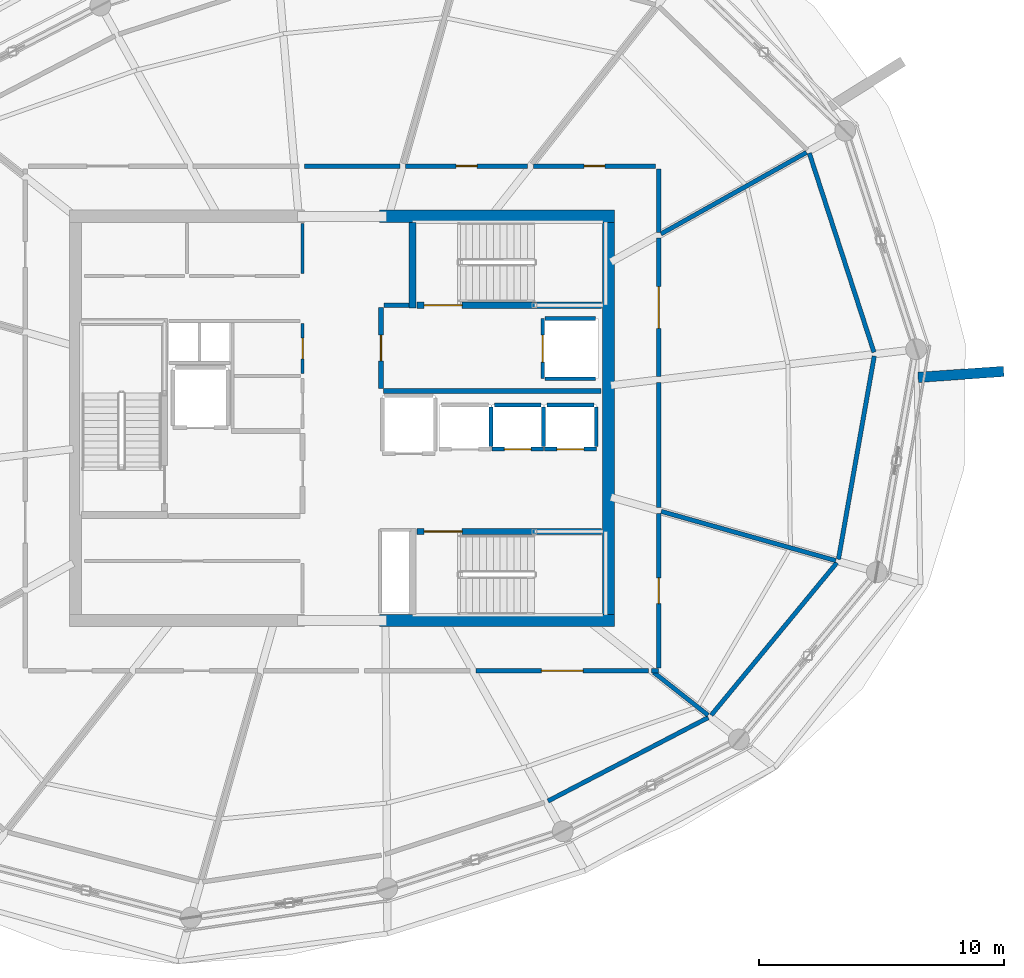
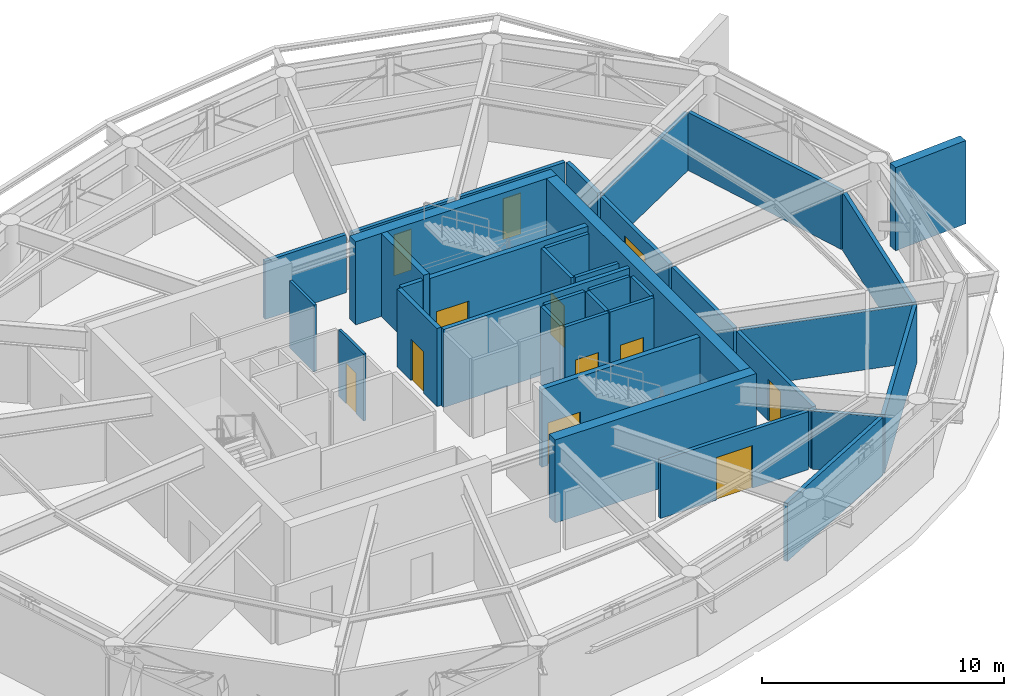
# One storey, part 12 of 14: 38 walls, 12 doors, 12 openings.
"""IFC4 building model written with IfcOpenShell, lengths in metres."""

from ifc_helpers import new_model, si_unit, direction, frame, frame_2d, origin, place, context, subcontext, project, spatial, rectangle, extrude, material, layer, layer_set, type_object, element, fill, save


model = new_model("IFC4")

# Units and contexts
model_context = context("Model", 3, precision=1e-05, world=origin(), true_north=direction((0.0, 1.0)))
body_context = subcontext(model_context, "Body", "Model", "MODEL_VIEW")
ifc_project = project(units=[si_unit("LENGTHUNIT", "METRE"), si_unit("AREAUNIT", "SQUARE_METRE"), si_unit("VOLUMEUNIT", "CUBIC_METRE"), si_unit("PLANEANGLEUNIT", "RADIAN"), si_unit("MASSUNIT", "GRAM", prefix="KILO")], contexts=[model_context])

# Site, building, storey
site_placement = place(None, origin())
site = spatial("IfcSite", under=ifc_project, at=site_placement, CompositionType="ELEMENT")
building_placement = place(site_placement, origin())
building = spatial("IfcBuilding", under=site, at=building_placement, Name="Kazma Halo Residences", CompositionType="ELEMENT")
storey_placement = place(building_placement, frame((0.0, 0.0, 343.10009765625)))
storey = spatial("IfcBuildingStorey", under=building, at=storey_placement, Name="L86", CompositionType="ELEMENT", Elevation=343.10009765625)

# Walls
ifc_material_1 = material(Name="Pale Concrete C60/75", Category="concrete")
ifc_layer_1 = layer(ifc_material_1, 0.419921875)
ifc_layer_set_1 = layer_set([ifc_layer_1], Name="Pale Concrete C60/75")
wall_type_1 = type_object("IfcWallType", Name="WL-BLADE-420", PredefinedType="SOLIDWALL", material=ifc_layer_set_1)
wall_1_placement = place(storey_placement, frame((71.94091796875, 43.674072265625, 0.0), z_axis=(0.0, 0.0, 1.0), x_axis=(0.997564163539, 0.069754853754, 0.0)))
element("IfcWall", 1, at=wall_1_placement, inside=storey, type_object=wall_type_1, Name="L86 pale concrete structural blade fin wall BW-04", PredefinedType="SOLIDWALL", context=body_context, shape_type="SweptSolid", body=[
    extrude(rectangle(XDim=3.5, YDim=0.419921875, at=frame_2d((1.75, 0.0))), origin(), (0.0, 0.0, 1.0), 4.199951171875),
])
ifc_material_2 = material(Name="Concrete C60/75", Category="concrete")
ifc_layer_2 = layer(ifc_material_2, 0.5)
ifc_layer_set_2 = layer_set([ifc_layer_2], Name="Concrete C60/75")
wall_type_2 = type_object("IfcWallType", Name="WL-CORE-500", PredefinedType="SHEAR", material=ifc_layer_set_2)
for number, where, z_axis, x_axis, name in (
    (2, (49.949951171875, 33.75, 0.0), (0.0, 0.0, 1.0), (1.0, 0.0, 0.0), "L86 central core shear wall SE"),
    (3, (49.949951171875, 50.25, 0.0), (0.0, 0.0, 1.0), (1.0, 0.0, 0.0), "L86 central core shear wall NE"),
):
    element("IfcWall", number, at=place(storey_placement, frame(where, z_axis=z_axis, x_axis=x_axis)), inside=storey, type_object=wall_type_2, Name=name, PredefinedType="SHEAR", context=body_context, shape_type="SweptSolid", body=[
        extrude(rectangle(XDim=9.60009765625, YDim=0.5, at=frame_2d((4.800048828125, 0.0))), origin(), (0.0, 0.0, 1.0), 4.199951171875),
    ])
wall_2_placement = place(storey_placement, frame((59.300048828125, 34.0, 0.0), z_axis=(0.0, 0.0, 1.0), x_axis=(0.0, 1.0, 0.0)))
element("IfcWall", 4, at=wall_2_placement, inside=storey, type_object=wall_type_2, Name="L86 central core shear wall E", PredefinedType="SHEAR", context=body_context, shape_type="SweptSolid", body=[
    extrude(rectangle(XDim=16.0, YDim=0.5, at=frame_2d((8.0, 0.0))), origin(), (0.0, 0.0, 1.0), 4.199951171875),
])
ifc_layer_3 = layer(ifc_material_2, 0.280029296875)
ifc_layer_set_3 = layer_set([ifc_layer_3], Name="Concrete C60/75")
wall_type_3 = type_object("IfcWallType", Name="WL-CORE-ST-280", PredefinedType="SHEAR", material=ifc_layer_set_3)
wall_3_placement = place(storey_placement, frame((51.31005859375, 46.5, 0.0), z_axis=(0.0, 0.0, 1.0), x_axis=(0.0, 1.0, 0.0)))
element("IfcWall", 5, at=wall_3_placement, inside=storey, type_object=wall_type_3, Name="L86 stairwell bearing wall ST02-W", PredefinedType="SHEAR", context=body_context, shape_type="SweptSolid", body=[
    extrude(rectangle(XDim=3.5, YDim=0.280029296875, at=frame_2d((1.75, 0.0))), origin(), (0.0, 0.0, 1.0), 4.199951171875),
])
ifc_material_3 = material(Name="Acoustic Twin-Stud Gypsum")
ifc_layer_4 = layer(ifc_material_3, 0.179931640625)
ifc_layer_set_4 = layer_set([ifc_layer_4], Name="Acoustic Twin-Stud Gypsum")
wall_type_4 = type_object("IfcWallType", Name="WL-DEM-180", PredefinedType="PARTITIONING", material=ifc_layer_set_4)
wall_4_placement = place(storey_placement, frame((56.83740234375, 26.38330078125, 0.0), z_axis=(0.0, 0.0, 1.0), x_axis=(0.886951970108, 0.461861670548, 0.0)))
element("IfcWall", 6, at=wall_4_placement, inside=storey, type_object=wall_type_4, Name="L86 refuge acoustic perimeter wall 12", PredefinedType="PARTITIONING", context=body_context, shape_type="SweptSolid", body=[
    extrude(rectangle(XDim=7.369873046875, YDim=0.179931640625, at=frame_2d((3.68505859375, 0.0))), origin(), (0.0, 0.0, 1.0), 2.932861328125),
])
wall_5_placement = place(storey_placement, frame((63.49609375, 29.8857421875, 0.0), z_axis=(0.0, 0.0, 1.0), x_axis=(0.635999094609, 0.771689802743, 0.0)))
element("IfcWall", 7, at=wall_5_placement, inside=storey, type_object=wall_type_4, Name="L86 refuge acoustic perimeter wall 13", PredefinedType="PARTITIONING", context=body_context, shape_type="SweptSolid", body=[
    extrude(rectangle(XDim=8.0625, YDim=0.179931640625, at=frame_2d((4.03125, 0.0))), origin(), (0.0, 0.0, 1.0), 2.932861328125),
])
wall_6_placement = place(storey_placement, frame((68.6884765625, 36.248046875, 0.0), z_axis=(0.0, 0.0, 1.0), x_axis=(0.173644811024, 0.984808346636, 0.0)))
element("IfcWall", 8, at=wall_6_placement, inside=storey, type_object=wall_type_4, Name="L86 refuge acoustic perimeter wall 14", PredefinedType="PARTITIONING", context=body_context, shape_type="SweptSolid", body=[
    extrude(rectangle(XDim=8.424560546875, YDim=0.179931640625, at=frame_2d((4.21240234375, 0.0))), origin(), (0.0, 0.0, 1.0), 2.932861328125),
])
wall_7_placement = place(storey_placement, frame((70.140625, 44.699462890625, 0.0), z_axis=(0.0, 0.0, 1.0), x_axis=(-0.309030537088, 0.951052115894, 0.0)))
element("IfcWall", 9, at=wall_7_placement, inside=storey, type_object=wall_type_4, Name="L86 refuge acoustic perimeter wall 15", PredefinedType="PARTITIONING", context=body_context, shape_type="SweptSolid", body=[
    extrude(rectangle(XDim=8.548828125, YDim=0.179931640625, at=frame_2d((4.2744140625, 0.0))), origin(), (0.0, 0.0, 1.0), 2.932861328125),
])
wall_8_placement = place(storey_placement, frame((50.784912109375, 52.300048828125, 0.0), z_axis=(0.0, 0.0, 1.0), x_axis=(-1.0, 0.0, 0.0)))
element("IfcWall", 10, at=wall_8_placement, inside=storey, type_object=wall_type_4, Name="L86 L86 East Refuge Area corridor wall", PredefinedType="PARTITIONING", context=body_context, shape_type="SweptSolid", body=[
    extrude(rectangle(XDim=3.884033203125, YDim=0.179931640625, at=frame_2d((1.94189453125, 0.0))), origin(), (0.0, 0.0, 1.0), 2.932861328125),
])

# Wall, opening, door
wall_9_placement = place(storey_placement, frame((53.88818359375, 31.699951171875, 0.0), z_axis=(0.0, 0.0, 1.0), x_axis=(1.0, 0.0, 0.0)))
wall_9 = element("IfcWall", 11, at=wall_9_placement, inside=storey, type_object=wall_type_4, Name="L86 L86 West Refuge Area corridor wall", PredefinedType="PARTITIONING", context=body_context, shape_type="SweptSolid", body=[
    extrude(rectangle(XDim=7.057373046875, YDim=0.179931640625, at=frame_2d((3.52880859375, 0.0))), origin(), (0.0, 0.0, 1.0), 2.932861328125),
])
opening_1_placement = place(wall_9_placement, frame((2.6787109375, 0.0, 0.0)))
opening_1 = element("IfcOpeningElement", 12, at=opening_1_placement, cuts=wall_9, Name="Opening DL-1800", PredefinedType="OPENING", context=body_context, shape_type="SweptSolid", body=[
    extrude(rectangle(XDim=1.699951171875, YDim=2.14990234375, at=frame_2d((0.85009765625, 1.074951171875))), frame((0.0, 0.099853515625, 0.0), z_axis=(0.0, -1.0, 0.0), x_axis=(1.0, 0.0, 0.0)), (0.0, 0.0, 1.0), 0.199951171875),
])
ifc_material_4 = material(Name="Glazed Aluminium Double Leaf", Category="aluminium")
door_type_1 = type_object("IfcDoorType", Name="DR-LGE-1800", OperationType="NOTDEFINED", PredefinedType="DOOR", material=ifc_material_4)
door_1_placement = place(opening_1_placement, origin())
door_1 = element("IfcDoor", 13, at=door_1_placement, inside=storey, type_object=door_type_1, Name="L86 L86 West Refuge Area door", OperationType="DOUBLE_DOOR_SINGLE_SWING", OverallHeight=2.14990234375, OverallWidth=1.699951171875, PredefinedType="DOOR", context=body_context, shape_type="SweptSolid", body=[
    extrude(rectangle(XDim=1.699951171875, YDim=2.14990234375, at=frame_2d((0.85009765625, 1.074951171875))), frame((0.0, 0.02490234375, 0.0), z_axis=(0.0, -1.0, 0.0), x_axis=(1.0, 0.0, 0.0)), (0.0, 0.0, 1.0), 0.050048828125),
])
fill(opening_1, door_1)

# Walls
wall_10_placement = place(storey_placement, frame((61.15185546875, 31.6318359375, 0.0), z_axis=(0.0, 0.0, 1.0), x_axis=(0.785350101028, -0.619051870861, 0.0)))
element("IfcWall", 14, at=wall_10_placement, inside=storey, type_object=wall_type_4, Name="L86 radial partition wall 13", PredefinedType="PARTITIONING", context=body_context, shape_type="SweptSolid", body=[
    extrude(rectangle(XDim=2.8203125, YDim=0.179931640625, at=frame_2d((1.41015625, 0.0))), origin(), (0.0, 0.0, 1.0), 2.932861328125),
])
wall_11_placement = place(storey_placement, frame((61.0654296875, 31.699951171875, 0.0), z_axis=(0.0, 0.0, 1.0), x_axis=(1.0, 0.0, 0.0)))
element("IfcWall", 15, at=wall_11_placement, inside=storey, type_object=wall_type_4, Name="L86 L86 Smoke Extract Fan Plant Room corridor wall", PredefinedType="PARTITIONING", context=body_context, shape_type="SweptSolid", body=[
    extrude(rectangle(XDim=0.28466796875, YDim=0.179931640625, at=frame_2d((0.142333984375, 0.0))), origin(), (0.0, 0.0, 1.0), 2.932861328125),
])

# Wall, opening, door
wall_12_placement = place(storey_placement, frame((61.35009765625, 31.820068359375, 0.0), z_axis=(0.0, 0.0, 1.0), x_axis=(0.0, 1.0, 0.0)))
wall_12 = element("IfcWall", 16, at=wall_12_placement, inside=storey, type_object=wall_type_4, Name="L86 L86 Smoke Extract Fan Plant Room corridor wall", PredefinedType="PARTITIONING", context=body_context, shape_type="SweptSolid", body=[
    extrude(rectangle(XDim=6.294921875, YDim=0.179931640625, at=frame_2d((3.1474609375, 0.0))), origin(), (0.0, 0.0, 1.0), 2.932861328125),
])
opening_2_placement = place(wall_12_placement, frame((2.622314453125, 0.0, 0.0)))
opening_2 = element("IfcOpeningElement", 17, at=opening_2_placement, cuts=wall_12, Name="Opening DF-1050", PredefinedType="OPENING", context=body_context, shape_type="SweptSolid", body=[
    extrude(rectangle(XDim=1.050048828125, YDim=2.10009765625, at=frame_2d((0.52490234375, 1.050048828125))), frame((0.0, 0.099853515625, 0.0), z_axis=(0.0, -1.0, 0.0), x_axis=(1.0, 0.0, 0.0)), (0.0, 0.0, 1.0), 0.199951171875),
])
ifc_material_5 = material(Name="Fire-Rated Steel Leaf", Category="steel")
door_type_2 = type_object("IfcDoorType", Name="DR-FD90-1050", OperationType="NOTDEFINED", PredefinedType="DOOR", material=ifc_material_5)
door_2_placement = place(opening_2_placement, origin())
door_2 = element("IfcDoor", 18, at=door_2_placement, inside=storey, type_object=door_type_2, Name="L86 L86 Smoke Extract Fan Plant Room door", OperationType="SINGLE_SWING_RIGHT", OverallHeight=2.10009765625, OverallWidth=1.050048828125, PredefinedType="DOOR", context=body_context, shape_type="SweptSolid", body=[
    extrude(rectangle(XDim=1.050048828125, YDim=2.10009765625, at=frame_2d((0.52490234375, 1.050048828125))), frame((0.0, 0.02490234375, 0.0), z_axis=(0.0, -1.0, 0.0), x_axis=(1.0, 0.0, 0.0)), (0.0, 0.0, 1.0), 0.050048828125),
])
fill(opening_2, door_2)

# Walls
wall_13_placement = place(storey_placement, frame((61.455810546875, 38.205078125, 0.0), z_axis=(0.0, 0.0, 1.0), x_axis=(0.962454537961, -0.271442926522, 0.0)))
element("IfcWall", 19, at=wall_13_placement, inside=storey, type_object=wall_type_4, Name="L86 radial partition wall 14", PredefinedType="PARTITIONING", context=body_context, shape_type="SweptSolid", body=[
    extrude(rectangle(XDim=7.400390625, YDim=0.179931640625, at=frame_2d((3.7001953125, 0.0))), origin(), (0.0, 0.0, 1.0), 2.932861328125),
])
wall_14_placement = place(storey_placement, frame((61.35009765625, 38.35498046875, 0.0), z_axis=(0.0, 0.0, 1.0), x_axis=(0.0, 1.0, 0.0)))
element("IfcWall", 20, at=wall_14_placement, inside=storey, type_object=wall_type_4, Name="L86 L86 South Refuge Area corridor wall", PredefinedType="PARTITIONING", context=body_context, shape_type="SweptSolid", body=[
    extrude(rectangle(XDim=5.105224609375, YDim=0.179931640625, at=frame_2d((2.552734375, 0.0))), origin(), (0.0, 0.0, 1.0), 2.932861328125),
])

# Wall, opening, door
wall_15_placement = place(storey_placement, frame((61.35009765625, 43.7001953125, 0.0), z_axis=(0.0, 0.0, 1.0), x_axis=(0.0, 1.0, 0.0)))
wall_15 = element("IfcWall", 21, at=wall_15_placement, inside=storey, type_object=wall_type_4, Name="L86 L86 South Refuge Area corridor wall", PredefinedType="PARTITIONING", context=body_context, shape_type="SweptSolid", body=[
    extrude(rectangle(XDim=5.65625, YDim=0.179931640625, at=frame_2d((2.828125, 0.0))), origin(), (0.0, 0.0, 1.0), 2.932861328125),
])
opening_3_placement = place(wall_15_placement, frame((1.978271484375, 0.0, 0.0)))
opening_3 = element("IfcOpeningElement", 22, at=opening_3_placement, cuts=wall_15, Name="Opening DL-1800", PredefinedType="OPENING", context=body_context, shape_type="SweptSolid", body=[
    extrude(rectangle(XDim=1.699951171875, YDim=2.14990234375, at=frame_2d((0.85009765625, 1.074951171875))), frame((0.0, 0.099853515625, 0.0), z_axis=(0.0, -1.0, 0.0), x_axis=(1.0, 0.0, 0.0)), (0.0, 0.0, 1.0), 0.199951171875),
])
door_3_placement = place(opening_3_placement, origin())
door_3 = element("IfcDoor", 23, at=door_3_placement, inside=storey, type_object=door_type_1, Name="L86 L86 South Refuge Area door", OperationType="DOUBLE_DOOR_SINGLE_SWING", OverallHeight=2.14990234375, OverallWidth=1.699951171875, PredefinedType="DOOR", context=body_context, shape_type="SweptSolid", body=[
    extrude(rectangle(XDim=1.699951171875, YDim=2.14990234375, at=frame_2d((0.85009765625, 1.074951171875))), frame((0.0, 0.02490234375, 0.0), z_axis=(0.0, -1.0, 0.0), x_axis=(1.0, 0.0, 0.0)), (0.0, 0.0, 1.0), 0.050048828125),
])
fill(opening_3, door_3)

# Walls
wall_16_placement = place(storey_placement, frame((61.446044921875, 49.530029296875, 0.0), z_axis=(0.0, 0.0, 1.0), x_axis=(0.872491341717, 0.488629571995, 0.0)))
element("IfcWall", 24, at=wall_16_placement, inside=storey, type_object=wall_type_4, Name="L86 radial partition wall 00", PredefinedType="PARTITIONING", context=body_context, shape_type="SweptSolid", body=[
    extrude(rectangle(XDim=6.80908203125, YDim=0.179931640625, at=frame_2d((3.404541015625, 0.0))), origin(), (0.0, 0.0, 1.0), 2.932861328125),
])
wall_17_placement = place(storey_placement, frame((61.35009765625, 49.596435546875, 0.0), z_axis=(0.0, 0.0, 1.0), x_axis=(0.0, 1.0, 0.0)))
element("IfcWall", 25, at=wall_17_placement, inside=storey, type_object=wall_type_4, Name="L86 L86 HV Switchgear Plant Room corridor wall", PredefinedType="PARTITIONING", context=body_context, shape_type="SweptSolid", body=[
    extrude(rectangle(XDim=2.58349609375, YDim=0.179931640625, at=frame_2d((1.291748046875, 0.0))), origin(), (0.0, 0.0, 1.0), 2.932861328125),
])

# Wall, opening, door
wall_18_placement = place(storey_placement, frame((61.22998046875, 52.300048828125, 0.0), z_axis=(0.0, 0.0, 1.0), x_axis=(-1.0, 0.0, 0.0)))
wall_18 = element("IfcWall", 26, at=wall_18_placement, inside=storey, type_object=wall_type_4, Name="L86 L86 HV Switchgear Plant Room corridor wall", PredefinedType="PARTITIONING", context=body_context, shape_type="SweptSolid", body=[
    extrude(rectangle(XDim=4.989990234375, YDim=0.179931640625, at=frame_2d((2.4951171875, 0.0))), origin(), (0.0, 0.0, 1.0), 2.932861328125),
])
opening_4_placement = place(wall_18_placement, frame((2.070068359375, 0.0, 0.0)))
opening_4 = element("IfcOpeningElement", 27, at=opening_4_placement, cuts=wall_18, Name="Opening DS-850", PredefinedType="OPENING", context=body_context, shape_type="SweptSolid", body=[
    extrude(rectangle(XDim=0.85009765625, YDim=2.06005859375, at=frame_2d((0.425048828125, 1.030029296875))), frame((0.0, 0.099853515625, 0.0), z_axis=(0.0, -1.0, 0.0), x_axis=(1.0, 0.0, 0.0)), (0.0, 0.0, 1.0), 0.199951171875),
])
ifc_material_6 = material(Name="Painted Steel Access Leaf", Category="steel")
door_type_3 = type_object("IfcDoorType", Name="DR-SVC-850", OperationType="NOTDEFINED", PredefinedType="DOOR", material=ifc_material_6)
door_4_placement = place(opening_4_placement, origin())
door_4 = element("IfcDoor", 28, at=door_4_placement, inside=storey, type_object=door_type_3, Name="L86 L86 HV Switchgear Plant Room door", OperationType="SINGLE_SWING_RIGHT", OverallHeight=2.06005859375, OverallWidth=0.85009765625, PredefinedType="DOOR", context=body_context, shape_type="SweptSolid", body=[
    extrude(rectangle(XDim=0.85009765625, YDim=2.06005859375, at=frame_2d((0.425048828125, 1.030029296875))), frame((0.0, 0.02490234375, 0.0), z_axis=(0.0, -1.0, 0.0), x_axis=(1.0, 0.0, 0.0)), (0.0, 0.0, 1.0), 0.050048828125),
])
fill(opening_4, door_4)

wall_19_placement = place(storey_placement, frame((56.0, 52.300048828125, 0.0), z_axis=(0.0, 0.0, 1.0), x_axis=(-1.0, 0.0, 0.0)))
wall_19 = element("IfcWall", 29, at=wall_19_placement, inside=storey, type_object=wall_type_4, Name="L86 L86 Emergency BMS Mechanical Plant Room corridor wall", PredefinedType="PARTITIONING", context=body_context, shape_type="SweptSolid", body=[
    extrude(rectangle(XDim=4.97509765625, YDim=0.179931640625, at=frame_2d((2.487548828125, 0.0))), origin(), (0.0, 0.0, 1.0), 2.932861328125),
])
opening_5_placement = place(wall_19_placement, frame((2.0625, 0.0, 0.0)))
opening_5 = element("IfcOpeningElement", 30, at=opening_5_placement, cuts=wall_19, Name="Opening DS-850", PredefinedType="OPENING", context=body_context, shape_type="SweptSolid", body=[
    extrude(rectangle(XDim=0.85009765625, YDim=2.06005859375, at=frame_2d((0.425048828125, 1.030029296875))), frame((0.0, 0.099853515625, 0.0), z_axis=(0.0, -1.0, 0.0), x_axis=(1.0, 0.0, 0.0)), (0.0, 0.0, 1.0), 0.199951171875),
])
door_5_placement = place(opening_5_placement, origin())
door_5 = element("IfcDoor", 31, at=door_5_placement, inside=storey, type_object=door_type_3, Name="L86 L86 Emergency BMS Mechanical Plant Room door", OperationType="SINGLE_SWING_LEFT", OverallHeight=2.06005859375, OverallWidth=0.85009765625, PredefinedType="DOOR", context=body_context, shape_type="SweptSolid", body=[
    extrude(rectangle(XDim=0.85009765625, YDim=2.06005859375, at=frame_2d((0.425048828125, 1.030029296875))), frame((0.0, 0.02490234375, 0.0), z_axis=(0.0, -1.0, 0.0), x_axis=(1.0, 0.0, 0.0)), (0.0, 0.0, 1.0), 0.050048828125),
])
fill(opening_5, door_5)

# Wall
ifc_material_7 = material(Name="Fire-Rated Blockwork Masonry", Category="masonry")
ifc_layer_5 = layer(ifc_material_7, 0.199951171875)
ifc_layer_set_5 = layer_set([ifc_layer_5], Name="Fire-Rated Blockwork Masonry")
wall_type_5 = type_object("IfcWallType", Name="WL-FLB-200", PredefinedType="PARTITIONING", material=ifc_layer_set_5)
wall_20_placement = place(storey_placement, frame((54.5048828125, 40.844970703125, 0.0), z_axis=(0.0, 0.0, 1.0), x_axis=(0.0, 1.0, 0.0)))
element("IfcWall", 32, at=wall_20_placement, inside=storey, type_object=wall_type_5, Name="L86 lift shaft PH-01 side wall E", PredefinedType="PARTITIONING", context=body_context, shape_type="SweptSolid", body=[
    extrude(rectangle(XDim=1.610107421875, YDim=0.159912109375, at=frame_2d((0.80517578125, 0.0))), origin(), (0.0, 0.0, 1.0), 3.93994140625),
])

# Wall, opening, door
wall_21_placement = place(storey_placement, frame((56.655029296875, 40.7451171875, 0.0), z_axis=(0.0, 0.0, 1.0), x_axis=(-1.0, 0.0, 0.0)))
wall_21 = element("IfcWall", 33, at=wall_21_placement, inside=storey, type_object=wall_type_5, Name="L86 lift shaft PH-02 front wall", PredefinedType="PARTITIONING", context=body_context, shape_type="SweptSolid", body=[
    extrude(rectangle(XDim=2.110107421875, YDim=0.159912109375, at=frame_2d((1.05517578125, 0.0))), origin(), (0.0, 0.0, 1.0), 3.93994140625),
])
opening_6_placement = place(wall_21_placement, frame((0.5048828125, 0.0, 0.0)))
opening_6 = element("IfcOpeningElement", 34, at=opening_6_placement, cuts=wall_21, Name="Opening LD-PH-02", PredefinedType="OPENING", context=body_context, shape_type="SweptSolid", body=[
    extrude(rectangle(XDim=1.10009765625, YDim=2.10009765625, at=frame_2d((0.550048828125, 1.050048828125))), frame((0.0, 0.08984375, 0.0), z_axis=(0.0, -1.0, 0.0), x_axis=(1.0, 0.0, 0.0)), (0.0, 0.0, 1.0), 0.179931640625),
])
ifc_material_8 = material(Name="Stainless Steel Fire-Rated", Category="steel")
door_type_4 = type_object("IfcDoorType", Name="DR-LIFT-SLD-1100", OperationType="DOUBLE_DOOR_SLIDING", PredefinedType="DOOR", material=ifc_material_8)
door_6_placement = place(opening_6_placement, origin())
door_6 = element("IfcDoor", 35, at=door_6_placement, inside=storey, type_object=door_type_4, Name="L86 lift PH-02 sliding landing door", OperationType="DOUBLE_DOOR_SLIDING", OverallHeight=2.10009765625, OverallWidth=1.10009765625, PredefinedType="DOOR", context=body_context, shape_type="SweptSolid", body=[
    extrude(rectangle(XDim=1.10009765625, YDim=2.10009765625, at=frame_2d((0.550048828125, 1.050048828125))), frame((0.0, 0.02490234375, 0.0), z_axis=(0.0, -1.0, 0.0), x_axis=(1.0, 0.0, 0.0)), (0.0, 0.0, 1.0), 0.050048828125),
])
fill(opening_6, door_6)

# Walls
wall_22_placement = place(storey_placement, frame((56.655029296875, 40.844970703125, 0.0), z_axis=(0.0, 0.0, 1.0), x_axis=(0.0, 1.0, 0.0)))
element("IfcWall", 36, at=wall_22_placement, inside=storey, type_object=wall_type_5, Name="L86 lift shaft PH-02 side wall E", PredefinedType="PARTITIONING", context=body_context, shape_type="SweptSolid", body=[
    extrude(rectangle(XDim=1.610107421875, YDim=0.159912109375, at=frame_2d((0.80517578125, 0.0))), origin(), (0.0, 0.0, 1.0), 3.93994140625),
])
wall_23_placement = place(storey_placement, frame((54.64501953125, 42.554931640625, 0.0), z_axis=(0.0, 0.0, 1.0), x_axis=(1.0, 0.0, 0.0)))
element("IfcWall", 37, at=wall_23_placement, inside=storey, type_object=wall_type_5, Name="L86 lift shaft PH-02 side wall N", PredefinedType="PARTITIONING", context=body_context, shape_type="SweptSolid", body=[
    extrude(rectangle(XDim=1.909912109375, YDim=0.159912109375, at=frame_2d((0.955078125, 0.0))), origin(), (0.0, 0.0, 1.0), 3.93994140625),
])

# Wall, opening, door
wall_24_placement = place(storey_placement, frame((58.804931640625, 40.7451171875, 0.0), z_axis=(0.0, 0.0, 1.0), x_axis=(-1.0, 0.0, 0.0)))
wall_24 = element("IfcWall", 38, at=wall_24_placement, inside=storey, type_object=wall_type_5, Name="L86 lift shaft PH-03 front wall", PredefinedType="PARTITIONING", context=body_context, shape_type="SweptSolid", body=[
    extrude(rectangle(XDim=2.10986328125, YDim=0.159912109375, at=frame_2d((1.054931640625, 0.0))), origin(), (0.0, 0.0, 1.0), 3.93994140625),
])
opening_7_placement = place(wall_24_placement, frame((0.5048828125, 0.0, 0.0)))
opening_7 = element("IfcOpeningElement", 39, at=opening_7_placement, cuts=wall_24, Name="Opening LD-PH-03", PredefinedType="OPENING", context=body_context, shape_type="SweptSolid", body=[
    extrude(rectangle(XDim=1.10009765625, YDim=2.10009765625, at=frame_2d((0.550048828125, 1.050048828125))), frame((0.0, 0.08984375, 0.0), z_axis=(0.0, -1.0, 0.0), x_axis=(1.0, 0.0, 0.0)), (0.0, 0.0, 1.0), 0.179931640625),
])
door_7_placement = place(opening_7_placement, origin())
door_7 = element("IfcDoor", 40, at=door_7_placement, inside=storey, type_object=door_type_4, Name="L86 lift PH-03 sliding landing door", OperationType="DOUBLE_DOOR_SLIDING", OverallHeight=2.10009765625, OverallWidth=1.10009765625, PredefinedType="DOOR", context=body_context, shape_type="SweptSolid", body=[
    extrude(rectangle(XDim=1.10009765625, YDim=2.10009765625, at=frame_2d((0.550048828125, 1.050048828125))), frame((0.0, 0.02490234375, 0.0), z_axis=(0.0, -1.0, 0.0), x_axis=(1.0, 0.0, 0.0)), (0.0, 0.0, 1.0), 0.050048828125),
])
fill(opening_7, door_7)

# Walls
wall_25_placement = place(storey_placement, frame((58.804931640625, 40.844970703125, 0.0), z_axis=(0.0, 0.0, 1.0), x_axis=(0.0, 1.0, 0.0)))
element("IfcWall", 41, at=wall_25_placement, inside=storey, type_object=wall_type_5, Name="L86 lift shaft PH-03 side wall E", PredefinedType="PARTITIONING", context=body_context, shape_type="SweptSolid", body=[
    extrude(rectangle(XDim=1.610107421875, YDim=0.159912109375, at=frame_2d((0.80517578125, 0.0))), origin(), (0.0, 0.0, 1.0), 3.93994140625),
])
wall_26_placement = place(storey_placement, frame((56.794921875, 42.554931640625, 0.0), z_axis=(0.0, 0.0, 1.0), x_axis=(1.0, 0.0, 0.0)))
element("IfcWall", 42, at=wall_26_placement, inside=storey, type_object=wall_type_5, Name="L86 lift shaft PH-03 side wall N", PredefinedType="PARTITIONING", context=body_context, shape_type="SweptSolid", body=[
    extrude(rectangle(XDim=1.91015625, YDim=0.159912109375, at=frame_2d((0.955078125, 0.0))), origin(), (0.0, 0.0, 1.0), 3.93994140625),
])

# Wall, opening, door
wall_27_placement = place(storey_placement, frame((56.6201171875, 46.080078125, 0.0), z_axis=(0.0, 0.0, 1.0), x_axis=(0.0, -1.0, 0.0)))
wall_27 = element("IfcWall", 43, at=wall_27_placement, inside=storey, type_object=wall_type_5, Name="L86 lift shaft FL-02 front wall", PredefinedType="PARTITIONING", context=body_context, shape_type="SweptSolid", body=[
    extrude(rectangle(XDim=2.4599609375, YDim=0.159912109375, at=frame_2d((1.22998046875, 0.0))), origin(), (0.0, 0.0, 1.0), 3.93994140625),
])
opening_8_placement = place(wall_27_placement, frame((0.679931640625, 0.0, 0.0)))
opening_8 = element("IfcOpeningElement", 44, at=opening_8_placement, cuts=wall_27, Name="Opening LD-FL-02", PredefinedType="OPENING", context=body_context, shape_type="SweptSolid", body=[
    extrude(rectangle(XDim=1.10009765625, YDim=2.10009765625, at=frame_2d((0.550048828125, 1.050048828125))), frame((0.0, 0.08984375, 0.0), z_axis=(0.0, -1.0, 0.0), x_axis=(1.0, 0.0, 0.0)), (0.0, 0.0, 1.0), 0.179931640625),
])
door_8_placement = place(opening_8_placement, origin())
door_8 = element("IfcDoor", 45, at=door_8_placement, inside=storey, type_object=door_type_4, Name="L86 lift FL-02 sliding landing door", OperationType="DOUBLE_DOOR_SLIDING", OverallHeight=2.10009765625, OverallWidth=1.10009765625, PredefinedType="DOOR", context=body_context, shape_type="SweptSolid", body=[
    extrude(rectangle(XDim=1.10009765625, YDim=2.10009765625, at=frame_2d((0.550048828125, 1.050048828125))), frame((0.0, 0.02490234375, 0.0), z_axis=(0.0, -1.0, 0.0), x_axis=(1.0, 0.0, 0.0)), (0.0, 0.0, 1.0), 0.050048828125),
])
fill(opening_8, door_8)

# Walls
for number, where, z_axis, x_axis, name in (
    (46, (56.719970703125, 46.080078125, 0.0), (0.0, 0.0, 1.0), (1.0, 0.0, 0.0), "L86 lift shaft FL-02 side wall N"),
    (47, (56.719970703125, 43.6201171875, 0.0), (0.0, 0.0, 1.0), (1.0, 0.0, 0.0), "L86 lift shaft FL-02 side wall S"),
):
    element("IfcWall", number, at=place(storey_placement, frame(where, z_axis=z_axis, x_axis=x_axis)), inside=storey, type_object=wall_type_5, Name=name, PredefinedType="PARTITIONING", context=body_context, shape_type="SweptSolid", body=[
        extrude(rectangle(XDim=2.06005859375, YDim=0.159912109375, at=frame_2d((1.030029296875, 0.0))), origin(), (0.0, 0.0, 1.0), 3.93994140625),
    ])
wall_28_placement = place(storey_placement, frame((50.1201171875, 43.1201171875, 0.0), z_axis=(0.0, 0.0, 1.0), x_axis=(1.0, 0.0, 0.0)))
element("IfcWall", 48, at=wall_28_placement, inside=storey, type_object=wall_type_5, Name="L86 east firefighting lobby south smoke wall", PredefinedType="PARTITIONING", context=body_context, shape_type="SweptSolid", body=[
    extrude(rectangle(XDim=8.8798828125, YDim=0.199951171875, at=frame_2d((4.43994140625, 0.0))), origin(), (0.0, 0.0, 1.0), 3.93994140625),
])
wall_29_placement = place(storey_placement, frame((50.139892578125, 46.6201171875, 0.0), z_axis=(0.0, 0.0, 1.0), x_axis=(1.0, 0.0, 0.0)))
element("IfcWall", 49, at=wall_29_placement, inside=storey, type_object=wall_type_5, Name="L86 east firefighting lobby north closure wall", PredefinedType="PARTITIONING", context=body_context, shape_type="SweptSolid", body=[
    extrude(rectangle(XDim=1.02001953125, YDim=0.199951171875, at=frame_2d((0.510009765625, 0.0))), origin(), (0.0, 0.0, 1.0), 3.93994140625),
])

# Wall, opening, door
wall_30_placement = place(storey_placement, frame((50.02001953125, 43.219970703125, 0.0), z_axis=(0.0, 0.0, 1.0), x_axis=(0.0, 1.0, 0.0)))
wall_30 = element("IfcWall", 50, at=wall_30_placement, inside=storey, type_object=wall_type_5, Name="L86 east firefighting lobby smoke wall", PredefinedType="PARTITIONING", context=body_context, shape_type="SweptSolid", body=[
    extrude(rectangle(XDim=3.300048828125, YDim=0.199951171875, at=frame_2d((1.64990234375, 0.0))), origin(), (0.0, 0.0, 1.0), 3.93994140625),
])
opening_9_placement = place(wall_30_placement, frame((1.125, 0.0, 0.0)))
opening_9 = element("IfcOpeningElement", 51, at=opening_9_placement, cuts=wall_30, Name="Opening D-FLE", PredefinedType="OPENING", context=body_context, shape_type="SweptSolid", body=[
    extrude(rectangle(XDim=1.050048828125, YDim=2.10009765625, at=frame_2d((0.52490234375, 1.050048828125))), frame((0.0, 0.10986328125, 0.0), z_axis=(0.0, -1.0, 0.0), x_axis=(1.0, 0.0, 0.0)), (0.0, 0.0, 1.0), 0.219970703125),
])
door_9_placement = place(opening_9_placement, origin())
door_9 = element("IfcDoor", 52, at=door_9_placement, inside=storey, type_object=door_type_2, Name="L86 east firefighting lobby smoke door", OperationType="SINGLE_SWING_RIGHT", OverallHeight=2.10009765625, OverallWidth=1.050048828125, PredefinedType="DOOR", context=body_context, shape_type="SweptSolid", body=[
    extrude(rectangle(XDim=1.050048828125, YDim=2.10009765625, at=frame_2d((0.52490234375, 1.050048828125))), frame((0.0, 0.02490234375, 0.0), z_axis=(0.0, -1.0, 0.0), x_axis=(1.0, 0.0, 0.0)), (0.0, 0.0, 1.0), 0.050048828125),
])
fill(opening_9, door_9)

# Wall
ifc_material_9 = material(Name="Gypsum Plasterboard Partition")
ifc_layer_6 = layer(ifc_material_9, 0.125)
ifc_layer_set_6 = layer_set([ifc_layer_6], Name="Gypsum Plasterboard Partition")
wall_type_6 = type_object("IfcWallType", Name="WL-PART-125", PredefinedType="PARTITIONING", material=ifc_layer_set_6)
wall_31_placement = place(storey_placement, frame((46.820068359375, 47.919921875, 0.0), z_axis=(0.0, 0.0, 1.0), x_axis=(0.0, 1.0, 0.0)))
element("IfcWall", 53, at=wall_31_placement, inside=storey, type_object=wall_type_6, Name="L86 reclaimed north east wall", PredefinedType="PARTITIONING", context=body_context, shape_type="SweptSolid", body=[
    extrude(rectangle(XDim=2.030029296875, YDim=0.125, at=frame_2d((1.01513671875, 0.0))), origin(), (0.0, 0.0, 1.0), 3.3798828125),
])

# Wall, opening, door
wall_32_placement = place(storey_placement, frame((46.820068359375, 43.830078125, 0.0), z_axis=(0.0, 0.0, 1.0), x_axis=(0.0, 1.0, 0.0)))
wall_32 = element("IfcWall", 54, at=wall_32_placement, inside=storey, type_object=wall_type_6, Name="L86 telecom IDF room east wall", PredefinedType="PARTITIONING", context=body_context, shape_type="SweptSolid", body=[
    extrude(rectangle(XDim=2.0498046875, YDim=0.125, at=frame_2d((1.02490234375, 0.0))), origin(), (0.0, 0.0, 1.0), 3.3798828125),
])
opening_10_placement = place(wall_32_placement, frame((0.60009765625, 0.0, 0.0)))
opening_10 = element("IfcOpeningElement", 55, at=opening_10_placement, cuts=wall_32, Name="Opening DS-850", PredefinedType="OPENING", context=body_context, shape_type="SweptSolid", body=[
    extrude(rectangle(XDim=0.85009765625, YDim=2.06005859375, at=frame_2d((0.425048828125, 1.030029296875))), frame((0.0, 0.072509765625, 0.0), z_axis=(0.0, -1.0, 0.0), x_axis=(1.0, 0.0, 0.0)), (0.0, 0.0, 1.0), 0.14501953125),
])
door_10_placement = place(opening_10_placement, origin())
door_10 = element("IfcDoor", 56, at=door_10_placement, inside=storey, type_object=door_type_3, Name="L86 telecom IDF room door", OperationType="SINGLE_SWING_RIGHT", OverallHeight=2.06005859375, OverallWidth=0.85009765625, PredefinedType="DOOR", context=body_context, shape_type="SweptSolid", body=[
    extrude(rectangle(XDim=0.85009765625, YDim=2.06005859375, at=frame_2d((0.425048828125, 1.030029296875))), frame((0.0, 0.02490234375, 0.0), z_axis=(0.0, -1.0, 0.0), x_axis=(1.0, 0.0, 0.0)), (0.0, 0.0, 1.0), 0.050048828125),
])
fill(opening_10, door_10)

ifc_material_10 = material(Name="Concrete C50/60", Category="concrete")
ifc_layer_7 = layer(ifc_material_10, 0.25)
ifc_layer_set_7 = layer_set([ifc_layer_7], Name="Concrete C50/60")
wall_type_7 = type_object("IfcWallType", Name="WL-SHF-250", PredefinedType="SOLIDWALL", material=ifc_layer_set_7)
wall_33_placement = place(storey_placement, frame((51.47998046875, 46.6201171875, 0.0), z_axis=(0.0, 0.0, 1.0), x_axis=(1.0, 0.0, 0.0)))
wall_33 = element("IfcWall", 57, at=wall_33_placement, inside=storey, type_object=wall_type_7, Name="L86 exit stair ST-02 enclosure wall", PredefinedType="SOLIDWALL", context=body_context, shape_type="SweptSolid", body=[
    extrude(rectangle(XDim=7.5400390625, YDim=0.25, at=frame_2d((3.77001953125, 0.0))), origin(), (0.0, 0.0, 1.0), 3.93994140625),
])
opening_11_placement = place(wall_33_placement, frame((0.300048828125, 0.0, 0.0)))
opening_11 = element("IfcOpeningElement", 58, at=opening_11_placement, cuts=wall_33, Name="Opening D-ST2", PredefinedType="OPENING", context=body_context, shape_type="SweptSolid", body=[
    extrude(rectangle(XDim=1.550048828125, YDim=2.14990234375, at=frame_2d((0.77490234375, 1.074951171875))), frame((0.0, 0.135009765625, 0.0), z_axis=(0.0, -1.0, 0.0), x_axis=(1.0, 0.0, 0.0)), (0.0, 0.0, 1.0), 0.27001953125),
])
ifc_material_11 = material(Name="Fire-Rated Double Steel Leaf", Category="steel")
door_type_5 = type_object("IfcDoorType", Name="DR-FD90-1550", OperationType="NOTDEFINED", PredefinedType="DOOR", material=ifc_material_11)
door_11_placement = place(opening_11_placement, origin())
door_11 = element("IfcDoor", 59, at=door_11_placement, inside=storey, type_object=door_type_5, Name="L86 exit stair ST-02 fire door", OperationType="DOUBLE_DOOR_SINGLE_SWING", OverallHeight=2.14990234375, OverallWidth=1.550048828125, PredefinedType="DOOR", context=body_context, shape_type="SweptSolid", body=[
    extrude(rectangle(XDim=1.550048828125, YDim=2.14990234375, at=frame_2d((0.77490234375, 1.074951171875))), frame((0.0, 0.02490234375, 0.0), z_axis=(0.0, -1.0, 0.0), x_axis=(1.0, 0.0, 0.0)), (0.0, 0.0, 1.0), 0.050048828125),
])
fill(opening_11, door_11)

wall_34_placement = place(storey_placement, frame((51.47998046875, 37.3798828125, 0.0), z_axis=(0.0, 0.0, 1.0), x_axis=(1.0, 0.0, 0.0)))
wall_34 = element("IfcWall", 60, at=wall_34_placement, inside=storey, type_object=wall_type_7, Name="L86 exit stair ST-03 enclosure wall", PredefinedType="SOLIDWALL", context=body_context, shape_type="SweptSolid", body=[
    extrude(rectangle(XDim=7.5400390625, YDim=0.25, at=frame_2d((3.77001953125, 0.0))), origin(), (0.0, 0.0, 1.0), 3.93994140625),
])
opening_12_placement = place(wall_34_placement, frame((0.300048828125, 0.0, 0.0)))
opening_12 = element("IfcOpeningElement", 61, at=opening_12_placement, cuts=wall_34, Name="Opening D-ST3", PredefinedType="OPENING", context=body_context, shape_type="SweptSolid", body=[
    extrude(rectangle(XDim=1.550048828125, YDim=2.14990234375, at=frame_2d((0.77490234375, 1.074951171875))), frame((0.0, 0.135009765625, 0.0), z_axis=(0.0, -1.0, 0.0), x_axis=(1.0, 0.0, 0.0)), (0.0, 0.0, 1.0), 0.27001953125),
])
door_12_placement = place(opening_12_placement, origin())
door_12 = element("IfcDoor", 62, at=door_12_placement, inside=storey, type_object=door_type_5, Name="L86 exit stair ST-03 fire door", OperationType="DOUBLE_DOOR_SINGLE_SWING", OverallHeight=2.14990234375, OverallWidth=1.550048828125, PredefinedType="DOOR", context=body_context, shape_type="SweptSolid", body=[
    extrude(rectangle(XDim=1.550048828125, YDim=2.14990234375, at=frame_2d((0.77490234375, 1.074951171875))), frame((0.0, 0.02490234375, 0.0), z_axis=(0.0, -1.0, 0.0), x_axis=(1.0, 0.0, 0.0)), (0.0, 0.0, 1.0), 0.050048828125),
])
fill(opening_12, door_12)

save(model, "model.ifc")
